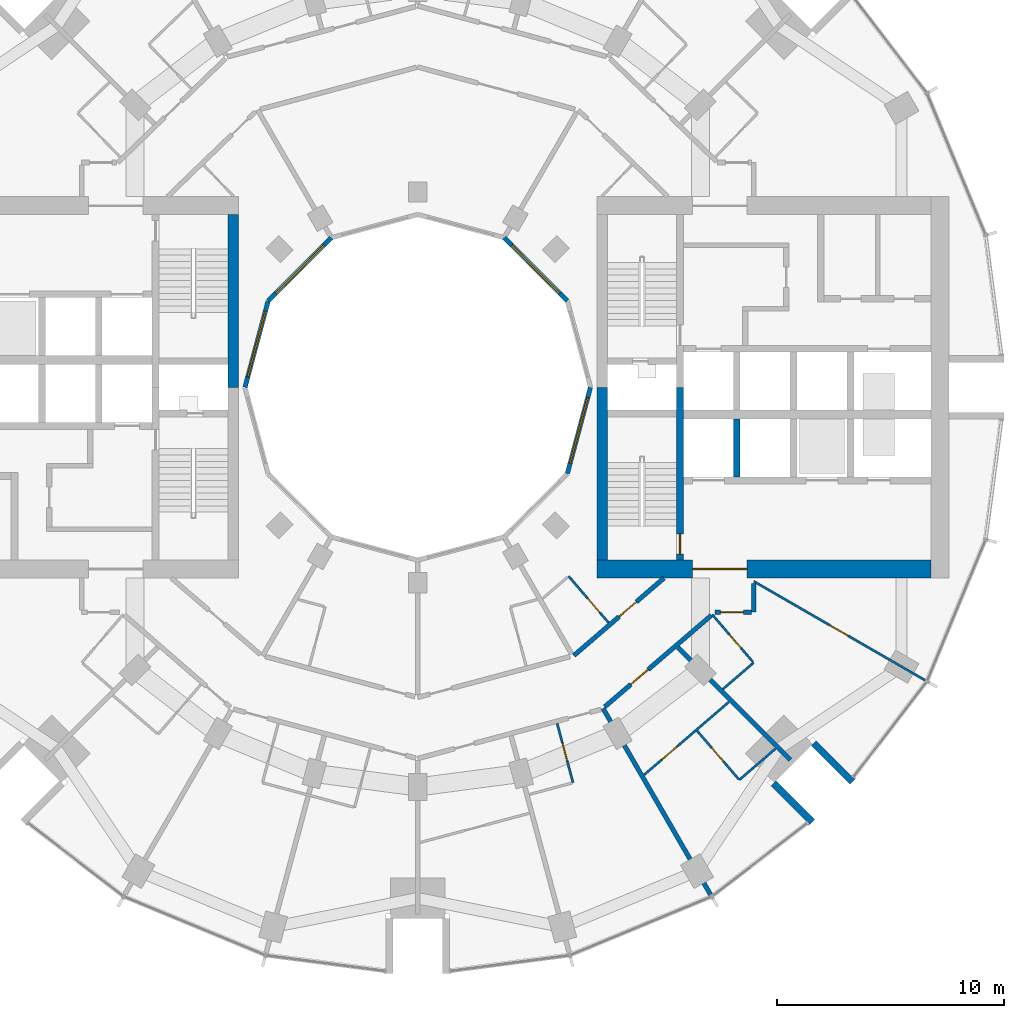
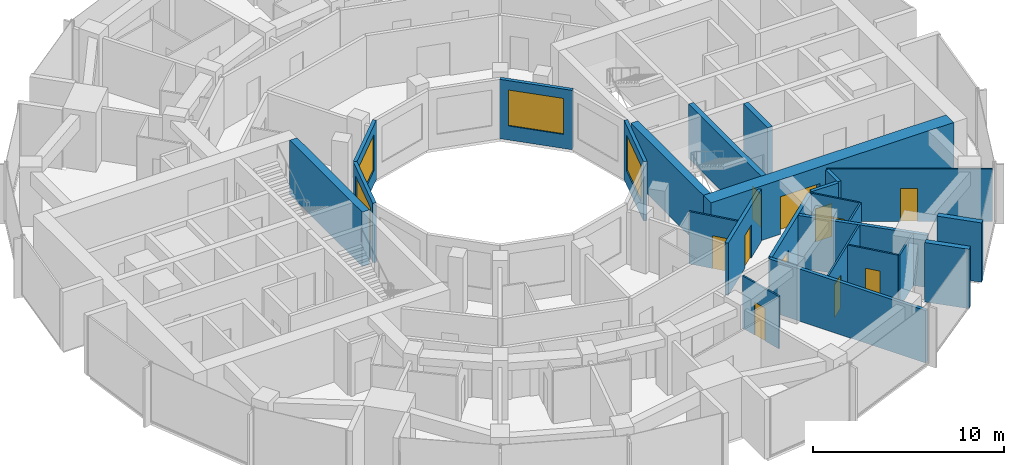
# One storey, part 10 of 15: 25 walls, 11 doors, 4 windows, 15 openings.
"""IFC4 building model written with IfcOpenShell, lengths in metres."""

from ifc_helpers import new_model, si_unit, direction, frame, frame_2d, origin, place, context, subcontext, project, spatial, rectangle, extrude, material, layer, layer_set, type_object, element, fill, save


model = new_model("IFC4")

# Units and contexts
model_context = context("Model", 3, precision=1e-05, world=origin(), true_north=direction((0.0, 1.0)))
body_context = subcontext(model_context, "Body", "Model", "MODEL_VIEW")
ifc_project = project(units=[si_unit("LENGTHUNIT", "METRE"), si_unit("AREAUNIT", "SQUARE_METRE"), si_unit("VOLUMEUNIT", "CUBIC_METRE"), si_unit("PLANEANGLEUNIT", "RADIAN"), si_unit("MASSUNIT", "GRAM", prefix="KILO")], contexts=[model_context])

# Site, building, storey
site_placement = place(None, origin())
site = spatial("IfcSite", under=ifc_project, at=site_placement, CompositionType="ELEMENT")
building_placement = place(site_placement, origin())
building = spatial("IfcBuilding", under=site, at=building_placement, Name="Torre Brocal", CompositionType="ELEMENT")
storey_placement = place(building_placement, frame((0.0, 0.0, 44.0)))
storey = spatial("IfcBuildingStorey", under=building, at=storey_placement, Name="L09", CompositionType="ELEMENT", Elevation=44.0)

# Wall, opening, door
ifc_material_1 = material(Name="Concrete C80", Category="concrete")
ifc_layer_1 = layer(ifc_material_1, 0.300048828125)
ifc_layer_set_1 = layer_set([ifc_layer_1], Name="Concrete C80")
wall_type_1 = type_object("IfcWallType", Name="CORE WALL 300 C80", PredefinedType="SHEAR", material=ifc_layer_set_1)
wall_1_placement = place(storey_placement, frame((91.550048828125, 67.39990234375, 0.0), z_axis=(0.0, 0.0, 1.0), x_axis=(0.0, 1.0, 0.0)))
wall_1 = element("IfcWall", 1, at=wall_1_placement, inside=storey, type_object=wall_type_1, Name="Wall CW300-80", PredefinedType="SHEAR", context=body_context, shape_type="SweptSolid", body=[
    extrude(rectangle(XDim=7.60009765625, YDim=0.300048828125, at=frame_2d((3.800048828125, 0.0))), origin(), (0.0, 0.0, 1.0), 3.47998046875),
])
opening_1_placement = place(wall_1_placement, frame((0.25, 0.0, 0.0)))
opening_1 = element("IfcOpeningElement", 2, at=opening_1_placement, cuts=wall_1, Name="Opening E-D03", PredefinedType="OPENING", context=body_context, shape_type="SweptSolid", body=[
    extrude(rectangle(XDim=0.89990234375, YDim=2.10009765625, at=frame_2d((0.449951171875, 1.050048828125))), frame((0.0, 0.159912109375, 0.0), z_axis=(0.0, -1.0, 0.0), x_axis=(1.0, 0.0, 0.0)), (0.0, 0.0, 1.0), 0.320068359375),
])
ifc_material_2 = material(Name="Steel A653", Category="steel")
door_type_1 = type_object("IfcDoorType", Name="STAIR DOOR FD120 900X2100", OperationType="SINGLE_SWING_RIGHT", PredefinedType="DOOR", material=ifc_material_2)
door_1_placement = place(opening_1_placement, origin())
door_1 = element("IfcDoor", 3, at=door_1_placement, inside=storey, type_object=door_type_1, Name="Door E-D03", OperationType="SINGLE_SWING_LEFT", OverallHeight=2.10009765625, OverallWidth=0.89990234375, PredefinedType="DOOR", context=body_context, shape_type="SweptSolid", body=[
    extrude(rectangle(XDim=0.89990234375, YDim=2.10009765625, at=frame_2d((0.449951171875, 1.050048828125))), frame((0.0, 0.02490234375, 0.0), z_axis=(0.0, -1.0, 0.0), x_axis=(1.0, 0.0, 0.0)), (0.0, 0.0, 1.0), 0.050048828125),
])
fill(opening_1, door_1)

# Walls
wall_2_placement = place(storey_placement, frame((94.050048828125, 71.050048828125, 0.0), z_axis=(0.0, 0.0, 1.0), x_axis=(0.0, 1.0, 0.0)))
element("IfcWall", 4, at=wall_2_placement, inside=storey, type_object=wall_type_1, Name="Wall CW300-80", PredefinedType="SHEAR", context=body_context, shape_type="SweptSolid", body=[
    extrude(rectangle(XDim=2.550048828125, YDim=0.300048828125, at=frame_2d((1.27490234375, 0.0))), origin(), (0.0, 0.0, 1.0), 3.47998046875),
])
ifc_material_3 = material(Name="Concrete C80", Category="concrete")
ifc_layer_2 = layer(ifc_material_3, 0.449951171875)
ifc_layer_set_2 = layer_set([ifc_layer_2], Name="Concrete C80")
wall_type_2 = type_object("IfcWallType", Name="CORE WALL 450 C80", PredefinedType="SHEAR", material=ifc_layer_set_2)
for number, where, z_axis, x_axis, name in (
    (5, (88.125, 67.39990234375, 0.0), (0.0, 0.0, 1.0), (0.0, 1.0, 0.0), "Wall CW450-80"),
    (6, (71.875, 82.60009765625, 0.0), (0.0, 0.0, 1.0), (0.0, -1.0, 0.0), "Wall CW450-80"),
):
    element("IfcWall", number, at=place(storey_placement, frame(where, z_axis=z_axis, x_axis=x_axis)), inside=storey, type_object=wall_type_2, Name=name, PredefinedType="SHEAR", context=body_context, shape_type="SweptSolid", body=[
        extrude(rectangle(XDim=7.60009765625, YDim=0.449951171875, at=frame_2d((3.800048828125, 0.0))), origin(), (0.0, 0.0, 1.0), 3.47998046875),
    ])

# Wall, opening, door
ifc_material_4 = material(Name="Concrete C80", Category="concrete")
ifc_layer_3 = layer(ifc_material_4, 0.800048828125)
ifc_layer_set_3 = layer_set([ifc_layer_3], Name="Concrete C80")
wall_type_3 = type_object("IfcWallType", Name="CORE WALL 800 C80", PredefinedType="SHEAR", material=ifc_layer_set_3)
wall_3_placement = place(storey_placement, frame((87.89990234375, 67.0, 0.0), z_axis=(0.0, 0.0, 1.0), x_axis=(1.0, 0.0, 0.0)))
wall_3 = element("IfcWall", 7, at=wall_3_placement, inside=storey, type_object=wall_type_3, Name="Wall CW800-80", PredefinedType="SHEAR", context=body_context, shape_type="SweptSolid", body=[
    extrude(rectangle(XDim=14.7001953125, YDim=0.800048828125, at=frame_2d((7.35009765625, 0.0))), origin(), (0.0, 0.0, 1.0), 3.47998046875),
])
opening_2_placement = place(wall_3_placement, frame((4.199951171875, 0.0, 0.0)))
opening_2 = element("IfcOpeningElement", 8, at=opening_2_placement, cuts=wall_3, Name="Opening E-D27", PredefinedType="OPENING", context=body_context, shape_type="SweptSolid", body=[
    extrude(rectangle(XDim=2.39990234375, YDim=2.39990234375, at=frame_2d((1.199951171875, 1.199951171875))), frame((0.0, 0.409912109375, 0.0), z_axis=(0.0, -1.0, 0.0), x_axis=(1.0, 0.0, 0.0)), (0.0, 0.0, 1.0), 0.820068359375),
])
ifc_material_5 = material(Name="Steel A653", Category="steel")
door_type_2 = type_object("IfcDoorType", Name="DOUBLE FIRE DOOR FD90 2400X2400", OperationType="DOUBLE_DOOR_SINGLE_SWING", PredefinedType="DOOR", material=ifc_material_5)
door_2_placement = place(opening_2_placement, origin())
door_2 = element("IfcDoor", 9, at=door_2_placement, inside=storey, type_object=door_type_2, Name="Door E-D27", OperationType="DOUBLE_DOOR_SINGLE_SWING", OverallHeight=2.39990234375, OverallWidth=2.39990234375, PredefinedType="DOOR", context=body_context, shape_type="SweptSolid", body=[
    extrude(rectangle(XDim=2.39990234375, YDim=2.39990234375, at=frame_2d((1.199951171875, 1.199951171875))), frame((0.0, 0.02490234375, 0.0), z_axis=(0.0, -1.0, 0.0), x_axis=(1.0, 0.0, 0.0)), (0.0, 0.0, 1.0), 0.050048828125),
])
fill(opening_2, door_2)

# Walls
ifc_material_6 = material(Name="Concrete C80", Category="concrete")
ifc_layer_4 = layer(ifc_material_6, 0.300048828125)
ifc_layer_set_4 = layer_set([ifc_layer_4], Name="Concrete C80")
wall_type_4 = type_object("IfcWallType", Name="NOTCH RETURN WALL 300 C80", PredefinedType="NOTDEFINED", material=ifc_layer_set_4)
for number, where, z_axis, x_axis, name in (
    (10, (95.662353515625, 57.56982421875, 0.0), (0.0, 0.0, 1.0), (0.707106781187, -0.707106781187, 0.0), "NOTCH RETURN WALL"),
    (11, (97.43017578125, 59.337646484375, 0.0), (0.0, 0.0, 1.0), (0.707106781187, -0.707106781187, 0.0), "NOTCH RETURN WALL"),
):
    element("IfcWall", number, at=place(storey_placement, frame(where, z_axis=z_axis, x_axis=x_axis)), inside=storey, type_object=wall_type_4, Name=name, PredefinedType="NOTDEFINED", context=body_context, shape_type="SweptSolid", body=[
        extrude(rectangle(XDim=2.415771484375, YDim=0.300048828125, at=frame_2d((1.2080078125, 0.0))), origin(), (0.0, 0.0, 1.0), 3.800048828125),
    ])

# Wall, opening, door
ifc_material_7 = material(Name="Gypsum board", Category="Gypsum")
ifc_layer_5 = layer(ifc_material_7, 0.10009765625)
ifc_layer_set_5 = layer_set([ifc_layer_5], Name="Gypsum board")
wall_type_5 = type_object("IfcWallType", Name="PARTITION 100", PredefinedType="PARTITIONING", material=ifc_layer_set_5)
wall_4_placement = place(storey_placement, frame((86.139892578125, 60.196044921875, 0.0), z_axis=(0.0, 0.0, 1.0), x_axis=(0.258945475746, -0.965891940432, 0.0)))
wall_4 = element("IfcWall", 12, at=wall_4_placement, inside=storey, type_object=wall_type_5, Name="BATHROOM WALL", PredefinedType="PARTITIONING", context=body_context, shape_type="SweptSolid", body=[
    extrude(rectangle(XDim=2.7001953125, YDim=0.10009765625, at=frame_2d((1.35009765625, 0.0))), origin(), (0.0, 0.0, 1.0), 3.35009765625),
])
opening_3_placement = place(wall_4_placement, frame((0.89990234375, 0.0, 0.0)))
opening_3 = element("IfcOpeningElement", 13, at=opening_3_placement, cuts=wall_4, Name="Opening H02-D30", PredefinedType="OPENING", context=body_context, shape_type="SweptSolid", body=[
    extrude(rectangle(XDim=0.800048828125, YDim=2.10009765625, at=frame_2d((0.39990234375, 1.050048828125))), frame((0.0, 0.06005859375, 0.0), z_axis=(0.0, -1.0, 0.0), x_axis=(1.0, 0.0, 0.0)), (0.0, 0.0, 1.0), 0.1201171875),
])
ifc_material_8 = material(Name="Timber", Category="wood")
door_type_3 = type_object("IfcDoorType", Name="BATHROOM DOOR 800X2100", OperationType="SINGLE_SWING_LEFT", PredefinedType="DOOR", material=ifc_material_8)
door_3_placement = place(opening_3_placement, frame((0.800048828125, 0.0, 0.0), z_axis=(0.0, 0.0, 1.0), x_axis=(-1.0, 0.0, 0.0)))
door_3 = element("IfcDoor", 14, at=door_3_placement, inside=storey, type_object=door_type_3, Name="H02-D30", OperationType="SINGLE_SWING_RIGHT", OverallHeight=2.10009765625, OverallWidth=0.800048828125, PredefinedType="DOOR", context=body_context, shape_type="SweptSolid", body=[
    extrude(rectangle(XDim=0.800048828125, YDim=2.10009765625, at=frame_2d((0.39990234375, 1.050048828125))), frame((0.0, 0.02490234375, 0.0), z_axis=(0.0, -1.0, 0.0), x_axis=(1.0, 0.0, 0.0)), (0.0, 0.0, 1.0), 0.050048828125),
])
fill(opening_3, door_3)

wall_5_placement = place(storey_placement, frame((86.64306640625, 66.680908203125, 0.0), z_axis=(0.0, 0.0, 1.0), x_axis=(0.652264876065, -0.757991115682, 0.0)))
wall_5 = element("IfcWall", 15, at=wall_5_placement, inside=storey, type_object=wall_type_5, Name="BATHROOM WALL", PredefinedType="PARTITIONING", context=body_context, shape_type="SweptSolid", body=[
    extrude(rectangle(XDim=2.699462890625, YDim=0.10009765625, at=frame_2d((1.349609375, 0.0))), origin(), (0.0, 0.0, 1.0), 3.35009765625),
])
opening_4_placement = place(wall_5_placement, frame((1.2998046875, 0.0, 0.0)))
opening_4 = element("IfcOpeningElement", 16, at=opening_4_placement, cuts=wall_5, Name="Opening H02-D42", PredefinedType="OPENING", context=body_context, shape_type="SweptSolid", body=[
    extrude(rectangle(XDim=0.800048828125, YDim=2.10009765625, at=frame_2d((0.39990234375, 1.050048828125))), frame((0.0, 0.06005859375, 0.0), z_axis=(0.0, -1.0, 0.0), x_axis=(1.0, 0.0, 0.0)), (0.0, 0.0, 1.0), 0.1201171875),
])
door_4_placement = place(opening_4_placement, frame((0.800048828125, 0.0, 0.0), z_axis=(0.0, 0.0, 1.0), x_axis=(-1.0, 0.0, 0.0)))
door_4 = element("IfcDoor", 17, at=door_4_placement, inside=storey, type_object=door_type_3, Name="H02-D42", OperationType="SINGLE_SWING_LEFT", OverallHeight=2.10009765625, OverallWidth=0.800048828125, PredefinedType="DOOR", context=body_context, shape_type="SweptSolid", body=[
    extrude(rectangle(XDim=0.800048828125, YDim=2.10009765625, at=frame_2d((0.39990234375, 1.050048828125))), frame((0.0, 0.02490234375, 0.0), z_axis=(0.0, -1.0, 0.0), x_axis=(1.0, 0.0, 0.0)), (0.0, 0.0, 1.0), 0.050048828125),
])
fill(opening_4, door_4)

wall_6_placement = place(storey_placement, frame((89.974365234375, 57.939697265625, 0.0), z_axis=(0.0, 0.0, 1.0), x_axis=(0.75821417454, 0.652005571699, 0.0)))
wall_6 = element("IfcWall", 18, at=wall_6_placement, inside=storey, type_object=wall_type_5, Name="BATHROOM WALL", PredefinedType="PARTITIONING", context=body_context, shape_type="SweptSolid", body=[
    extrude(rectangle(XDim=4.91455078125, YDim=0.10009765625, at=frame_2d((2.457275390625, 0.0))), origin(), (0.0, 0.0, 1.0), 3.35009765625),
])
opening_5_placement = place(wall_6_placement, frame((1.017333984375, 0.0, 0.0)))
opening_5 = element("IfcOpeningElement", 19, at=opening_5_placement, cuts=wall_6, Name="Opening H02-D27", PredefinedType="OPENING", context=body_context, shape_type="SweptSolid", body=[
    extrude(rectangle(XDim=0.89990234375, YDim=2.10009765625, at=frame_2d((0.449951171875, 1.050048828125))), frame((0.0, 0.06005859375, 0.0), z_axis=(0.0, -1.0, 0.0), x_axis=(1.0, 0.0, 0.0)), (0.0, 0.0, 1.0), 0.1201171875),
])
ifc_material_9 = material(Name="Timber", Category="wood")
door_type_4 = type_object("IfcDoorType", Name="ROOM DOOR 900X2100", OperationType="SINGLE_SWING_LEFT", PredefinedType="DOOR", material=ifc_material_9)
door_5_placement = place(opening_5_placement, origin())
door_5 = element("IfcDoor", 20, at=door_5_placement, inside=storey, type_object=door_type_4, Name="H02-D27", OperationType="SINGLE_SWING_LEFT", OverallHeight=2.10009765625, OverallWidth=0.89990234375, PredefinedType="DOOR", context=body_context, shape_type="SweptSolid", body=[
    extrude(rectangle(XDim=0.89990234375, YDim=2.10009765625, at=frame_2d((0.449951171875, 1.050048828125))), frame((0.0, 0.02490234375, 0.0), z_axis=(0.0, -1.0, 0.0), x_axis=(1.0, 0.0, 0.0)), (0.0, 0.0, 1.0), 0.050048828125),
])
fill(opening_5, door_5)

wall_7_placement = place(storey_placement, frame((92.300537109375, 59.8740234375, 0.0), z_axis=(0.0, 0.0, 1.0), x_axis=(0.652061320562, -0.758166231262, 0.0)))
wall_7 = element("IfcWall", 21, at=wall_7_placement, inside=storey, type_object=wall_type_5, Name="BATHROOM WALL", PredefinedType="PARTITIONING", context=body_context, shape_type="SweptSolid", body=[
    extrude(rectangle(XDim=2.80029296875, YDim=0.10009765625, at=frame_2d((1.400146484375, 0.0))), origin(), (0.0, 0.0, 1.0), 3.35009765625),
])
opening_6_placement = place(wall_7_placement, frame((1.0, 0.0, 0.0)))
opening_6 = element("IfcOpeningElement", 22, at=opening_6_placement, cuts=wall_7, Name="Opening H02-D28", PredefinedType="OPENING", context=body_context, shape_type="SweptSolid", body=[
    extrude(rectangle(XDim=0.800048828125, YDim=2.10009765625, at=frame_2d((0.39990234375, 1.050048828125))), frame((0.0, 0.06005859375, 0.0), z_axis=(0.0, -1.0, 0.0), x_axis=(1.0, 0.0, 0.0)), (0.0, 0.0, 1.0), 0.1201171875),
])
door_6_placement = place(opening_6_placement, origin())
door_6 = element("IfcDoor", 23, at=door_6_placement, inside=storey, type_object=door_type_3, Name="H02-D28", OperationType="SINGLE_SWING_LEFT", OverallHeight=2.10009765625, OverallWidth=0.800048828125, PredefinedType="DOOR", context=body_context, shape_type="SweptSolid", body=[
    extrude(rectangle(XDim=0.800048828125, YDim=2.10009765625, at=frame_2d((0.39990234375, 1.050048828125))), frame((0.0, 0.02490234375, 0.0), z_axis=(0.0, -1.0, 0.0), x_axis=(1.0, 0.0, 0.0)), (0.0, 0.0, 1.0), 0.050048828125),
])
fill(opening_6, door_6)

wall_8_placement = place(storey_placement, frame((92.965087890625, 64.996826171875, 0.0), z_axis=(0.0, 0.0, 1.0), x_axis=(0.652069888227, -0.758158862553, 0.0)))
wall_8 = element("IfcWall", 24, at=wall_8_placement, inside=storey, type_object=wall_type_5, Name="BATHROOM WALL", PredefinedType="PARTITIONING", context=body_context, shape_type="SweptSolid", body=[
    extrude(rectangle(XDim=2.75, YDim=0.10009765625, at=frame_2d((1.375, 0.0))), origin(), (0.0, 0.0, 1.0), 3.35009765625),
])
opening_7_placement = place(wall_8_placement, frame((1.14990234375, 0.0, 0.0)))
opening_7 = element("IfcOpeningElement", 25, at=opening_7_placement, cuts=wall_8, Name="Opening H02-D24", PredefinedType="OPENING", context=body_context, shape_type="SweptSolid", body=[
    extrude(rectangle(XDim=0.800048828125, YDim=2.10009765625, at=frame_2d((0.39990234375, 1.050048828125))), frame((0.0, 0.06005859375, 0.0), z_axis=(0.0, -1.0, 0.0), x_axis=(1.0, 0.0, 0.0)), (0.0, 0.0, 1.0), 0.1201171875),
])
door_7_placement = place(opening_7_placement, frame((0.800048828125, 0.0, 0.0), z_axis=(0.0, 0.0, 1.0), x_axis=(-1.0, 0.0, 0.0)))
door_7 = element("IfcDoor", 26, at=door_7_placement, inside=storey, type_object=door_type_3, Name="H02-D24", OperationType="SINGLE_SWING_LEFT", OverallHeight=2.10009765625, OverallWidth=0.800048828125, PredefinedType="DOOR", context=body_context, shape_type="SweptSolid", body=[
    extrude(rectangle(XDim=0.800048828125, YDim=2.10009765625, at=frame_2d((0.39990234375, 1.050048828125))), frame((0.0, 0.02490234375, 0.0), z_axis=(0.0, -1.0, 0.0), x_axis=(1.0, 0.0, 0.0)), (0.0, 0.0, 1.0), 0.050048828125),
])
fill(opening_7, door_7)

# Walls
wall_9_placement = place(storey_placement, frame((93.434814453125, 61.707275390625, 0.0), z_axis=(0.0, 0.0, 1.0), x_axis=(0.758070495124, 0.652172618578, 0.0)))
element("IfcWall", 27, at=wall_9_placement, inside=storey, type_object=wall_type_5, Name="BATHROOM WALL", PredefinedType="PARTITIONING", context=body_context, shape_type="SweptSolid", body=[
    extrude(rectangle(XDim=1.7890625, YDim=0.10009765625, at=frame_2d((0.89453125, 0.0))), origin(), (0.0, 0.0, 1.0), 3.35009765625),
])
wall_10_placement = place(storey_placement, frame((94.158935546875, 57.712890625, 0.0), z_axis=(0.0, 0.0, 1.0), x_axis=(0.75802950812, 0.652220257903, 0.0)))
element("IfcWall", 28, at=wall_10_placement, inside=storey, type_object=wall_type_5, Name="BATHROOM WALL", PredefinedType="PARTITIONING", context=body_context, shape_type="SweptSolid", body=[
    extrude(rectangle(XDim=2.10888671875, YDim=0.10009765625, at=frame_2d((1.054443359375, 0.0))), origin(), (0.0, 0.0, 1.0), 3.35009765625),
])

# Wall, opening, door
wall_11_placement = place(storey_placement, frame((94.800048828125, 66.455078125, 0.0), z_axis=(0.0, 0.0, 1.0), x_axis=(0.86602264145, -0.500004784474, 0.0)))
wall_11 = element("IfcWall", 29, at=wall_11_placement, inside=storey, type_object=wall_type_5, Name="ROOM PARTITION", PredefinedType="PARTITIONING", context=body_context, shape_type="SweptSolid", body=[
    extrude(rectangle(XDim=8.7080078125, YDim=0.10009765625, at=frame_2d((4.35400390625, 0.0))), origin(), (0.0, 0.0, 1.0), 3.35009765625),
])
opening_8_placement = place(wall_11_placement, frame((3.87890625, 0.0, 0.0)))
opening_8 = element("IfcOpeningElement", 30, at=opening_8_placement, cuts=wall_11, Name="Opening H02-D25", PredefinedType="OPENING", context=body_context, shape_type="SweptSolid", body=[
    extrude(rectangle(XDim=0.89990234375, YDim=2.10009765625, at=frame_2d((0.449951171875, 1.050048828125))), frame((0.0, 0.06005859375, 0.0), z_axis=(0.0, -1.0, 0.0), x_axis=(1.0, 0.0, 0.0)), (0.0, 0.0, 1.0), 0.1201171875),
])
door_8_placement = place(opening_8_placement, origin())
door_8 = element("IfcDoor", 31, at=door_8_placement, inside=storey, type_object=door_type_4, Name="H02-D25", OperationType="SINGLE_SWING_LEFT", OverallHeight=2.10009765625, OverallWidth=0.89990234375, PredefinedType="DOOR", context=body_context, shape_type="SweptSolid", body=[
    extrude(rectangle(XDim=0.89990234375, YDim=2.10009765625, at=frame_2d((0.449951171875, 1.050048828125))), frame((0.0, 0.02490234375, 0.0), z_axis=(0.0, -1.0, 0.0), x_axis=(1.0, 0.0, 0.0)), (0.0, 0.0, 1.0), 0.050048828125),
])
fill(opening_8, door_8)

ifc_material_10 = material(Name="Gypsum board", Category="Gypsum")
ifc_layer_6 = layer(ifc_material_10, 0.199951171875)
ifc_layer_set_6 = layer_set([ifc_layer_6], Name="Gypsum board")
wall_type_6 = type_object("IfcWallType", Name="PARTITION 200 EI60", PredefinedType="PARTITIONING", material=ifc_layer_set_6)
wall_12_placement = place(storey_placement, frame((86.876953125, 63.189208984375, 0.0), z_axis=(0.0, 0.0, 1.0), x_axis=(0.758164888471, 0.652062881853, 0.0)))
wall_12 = element("IfcWall", 32, at=wall_12_placement, inside=storey, type_object=wall_type_6, Name="GUESTROOM CORRIDOR WALL", PredefinedType="PARTITIONING", context=body_context, shape_type="SweptSolid", body=[
    extrude(rectangle(XDim=5.230224609375, YDim=0.199951171875, at=frame_2d((2.615234375, 0.0))), origin(), (0.0, 0.0, 1.0), 3.35009765625),
])
opening_9_placement = place(wall_12_placement, frame((2.63037109375, 0.0, 0.0)))
opening_9 = element("IfcOpeningElement", 33, at=opening_9_placement, cuts=wall_12, Name="Opening H02-D41", PredefinedType="OPENING", context=body_context, shape_type="SweptSolid", body=[
    extrude(rectangle(XDim=1.0, YDim=2.10009765625, at=frame_2d((0.5, 1.050048828125))), frame((0.0, 0.10986328125, 0.0), z_axis=(0.0, -1.0, 0.0), x_axis=(1.0, 0.0, 0.0)), (0.0, 0.0, 1.0), 0.219970703125),
])
ifc_material_11 = material(Name="Timber", Category="wood")
door_type_5 = type_object("IfcDoorType", Name="FLAT ENTRY DOOR FD30S 1000X2100", OperationType="SINGLE_SWING_RIGHT", PredefinedType="DOOR", material=ifc_material_11)
door_9_placement = place(opening_9_placement, origin())
door_9 = element("IfcDoor", 34, at=door_9_placement, inside=storey, type_object=door_type_5, Name="H02-D41", OperationType="SINGLE_SWING_LEFT", OverallHeight=2.10009765625, OverallWidth=1.0, PredefinedType="DOOR", context=body_context, shape_type="SweptSolid", body=[
    extrude(rectangle(XDim=1.0, YDim=2.10009765625, at=frame_2d((0.5, 1.050048828125))), frame((0.0, 0.02490234375, 0.0), z_axis=(0.0, -1.0, 0.0), x_axis=(1.0, 0.0, 0.0)), (0.0, 0.0, 1.0), 0.050048828125),
])
fill(opening_9, door_9)

wall_13_placement = place(storey_placement, frame((88.234619140625, 60.931396484375, 0.0), z_axis=(0.0, 0.0, 1.0), x_axis=(0.758799498714, 0.651324282329, 0.0)))
wall_13 = element("IfcWall", 35, at=wall_13_placement, inside=storey, type_object=wall_type_6, Name="FLAT ENTRANCE WALL", PredefinedType="PARTITIONING", context=body_context, shape_type="SweptSolid", body=[
    extrude(rectangle(XDim=6.185546875, YDim=0.199951171875, at=frame_2d((3.0927734375, 0.0))), origin(), (0.0, 0.0, 1.0), 3.35009765625),
])
opening_10_placement = place(wall_13_placement, frame((1.518798828125, 0.0, 0.0)))
opening_10 = element("IfcOpeningElement", 36, at=opening_10_placement, cuts=wall_13, Name="Opening H02-D26", PredefinedType="OPENING", context=body_context, shape_type="SweptSolid", body=[
    extrude(rectangle(XDim=1.0, YDim=2.10009765625, at=frame_2d((0.5, 1.050048828125))), frame((0.0, 0.10986328125, 0.0), z_axis=(0.0, -1.0, 0.0), x_axis=(1.0, 0.0, 0.0)), (0.0, 0.0, 1.0), 0.219970703125),
])
door_10_placement = place(opening_10_placement, frame((1.0, 0.0, 0.0), z_axis=(0.0, 0.0, 1.0), x_axis=(-1.0, 0.0, 0.0)))
door_10 = element("IfcDoor", 37, at=door_10_placement, inside=storey, type_object=door_type_5, Name="H02-D26", OperationType="SINGLE_SWING_LEFT", OverallHeight=2.10009765625, OverallWidth=1.0, PredefinedType="DOOR", context=body_context, shape_type="SweptSolid", body=[
    extrude(rectangle(XDim=1.0, YDim=2.10009765625, at=frame_2d((0.5, 1.050048828125))), frame((0.0, 0.02490234375, 0.0), z_axis=(0.0, -1.0, 0.0), x_axis=(1.0, 0.0, 0.0)), (0.0, 0.0, 1.0), 0.050048828125),
])
fill(opening_10, door_10)

# Walls
wall_14_placement = place(storey_placement, frame((88.159423828125, 60.86279296875, 0.0), z_axis=(0.0, 0.0, 1.0), x_axis=(0.499897184548, -0.866084756177, 0.0)))
element("IfcWall", 38, at=wall_14_placement, inside=storey, type_object=wall_type_6, Name="PARTY PARTITION", PredefinedType="PARTITIONING", context=body_context, shape_type="SweptSolid", body=[
    extrude(rectangle(XDim=9.474609375, YDim=0.199951171875, at=frame_2d((4.7373046875, 0.0))), origin(), (0.0, 0.0, 1.0), 3.35009765625),
])
wall_15_placement = place(storey_placement, frame((91.44921875, 63.5478515625, 0.0), z_axis=(0.0, 0.0, 1.0), x_axis=(0.706984810649, -0.707228730688, 0.0)))
element("IfcWall", 39, at=wall_15_placement, inside=storey, type_object=wall_type_6, Name="BATHROOM WALL", PredefinedType="PARTITIONING", context=body_context, shape_type="SweptSolid", body=[
    extrude(rectangle(XDim=7.00634765625, YDim=0.199951171875, at=frame_2d((3.503173828125, 0.0))), origin(), (0.0, 0.0, 1.0), 3.35009765625),
])

# Wall, opening, door
wall_16_placement = place(storey_placement, frame((93.0849609375, 65.10009765625, 0.0), z_axis=(0.0, 0.0, 1.0), x_axis=(1.0, 0.0, 0.0)))
wall_16 = element("IfcWall", 40, at=wall_16_placement, inside=storey, type_object=wall_type_6, Name="GUESTROOM CORRIDOR WALL", PredefinedType="PARTITIONING", context=body_context, shape_type="SweptSolid", body=[
    extrude(rectangle(XDim=1.614990234375, YDim=0.199951171875, at=frame_2d((0.8076171875, 0.0))), origin(), (0.0, 0.0, 1.0), 3.35009765625),
])
opening_11_placement = place(wall_16_placement, frame((0.25, 0.0, 0.0)))
opening_11 = element("IfcOpeningElement", 41, at=opening_11_placement, cuts=wall_16, Name="Opening H02-D23", PredefinedType="OPENING", context=body_context, shape_type="SweptSolid", body=[
    extrude(rectangle(XDim=1.0, YDim=2.10009765625, at=frame_2d((0.5, 1.050048828125))), frame((0.0, 0.10986328125, 0.0), z_axis=(0.0, -1.0, 0.0), x_axis=(1.0, 0.0, 0.0)), (0.0, 0.0, 1.0), 0.219970703125),
])
door_11_placement = place(opening_11_placement, frame((1.0, 0.0, 0.0), z_axis=(0.0, 0.0, 1.0), x_axis=(-1.0, 0.0, 0.0)))
door_11 = element("IfcDoor", 42, at=door_11_placement, inside=storey, type_object=door_type_5, Name="H02-D23", OperationType="SINGLE_SWING_LEFT", OverallHeight=2.10009765625, OverallWidth=1.0, PredefinedType="DOOR", context=body_context, shape_type="SweptSolid", body=[
    extrude(rectangle(XDim=1.0, YDim=2.10009765625, at=frame_2d((0.5, 1.050048828125))), frame((0.0, 0.02490234375, 0.0), z_axis=(0.0, -1.0, 0.0), x_axis=(1.0, 0.0, 0.0)), (0.0, 0.0, 1.0), 0.050048828125),
])
fill(opening_11, door_11)

# Wall
wall_17_placement = place(storey_placement, frame((94.800048828125, 65.10009765625, 0.0), z_axis=(0.0, 0.0, 1.0), x_axis=(0.0, 1.0, 0.0)))
element("IfcWall", 43, at=wall_17_placement, inside=storey, type_object=wall_type_6, Name="GUESTROOM CORRIDOR WALL", PredefinedType="PARTITIONING", context=body_context, shape_type="SweptSolid", body=[
    extrude(rectangle(XDim=1.25, YDim=0.199951171875, at=frame_2d((0.625, 0.0))), origin(), (0.0, 0.0, 1.0), 3.35009765625),
])

# Wall, opening, window
ifc_material_12 = material(Name="Concrete C40", Category="concrete")
ifc_layer_7 = layer(ifc_material_12, 0.199951171875)
ifc_layer_set_7 = layer_set([ifc_layer_7], Name="Concrete C40")
wall_type_7 = type_object("IfcWallType", Name="WELL FACADE WALL 200", PredefinedType="NOTDEFINED", material=ifc_layer_set_7)
wall_18_placement = place(storey_placement, frame((86.5849609375, 78.8017578125, 0.0), z_axis=(0.0, 0.0, 1.0), x_axis=(-0.707106781187, 0.707106781187, 0.0)))
wall_18 = element("IfcWall", 44, at=wall_18_placement, inside=storey, type_object=wall_type_7, Name="WELL FACADE WALL", PredefinedType="NOTDEFINED", context=body_context, shape_type="SweptSolid", body=[
    extrude(rectangle(XDim=3.93603515625, YDim=0.199951171875, at=frame_2d((1.968017578125, 0.0))), origin(), (0.0, 0.0, 1.0), 3.800048828125),
])
opening_12_placement = place(wall_18_placement, frame((0.468017578125, 0.0, 0.89990234375)))
opening_12 = element("IfcOpeningElement", 45, at=opening_12_placement, cuts=wall_18, Name="Opening W1", PredefinedType="OPENING", context=body_context, shape_type="SweptSolid", body=[
    extrude(rectangle(XDim=3.0, YDim=2.300048828125, at=frame_2d((1.5, 1.14990234375))), frame((0.0, 0.10986328125, 0.0), z_axis=(0.0, -1.0, 0.0), x_axis=(1.0, 0.0, 0.0)), (0.0, 0.0, 1.0), 0.219970703125),
])
ifc_material_13 = material(Name="Aluminium and glass", Category="aluminium")
window_type = type_object("IfcWindowType", Name="WELL WINDOW 3000X2300", PartitioningType="SINGLE_PANEL", PredefinedType="WINDOW", material=ifc_material_13)
window_1_placement = place(opening_12_placement, origin())
window_1 = element("IfcWindow", 46, at=window_1_placement, inside=storey, type_object=window_type, Name="WELL WINDOW 3000X2300", OverallHeight=2.300048828125, OverallWidth=3.0, PartitioningType="SINGLE_PANEL", PredefinedType="WINDOW", context=body_context, shape_type="SweptSolid", body=[
    extrude(rectangle(XDim=3.0, YDim=2.300048828125, at=frame_2d((1.5, 1.14990234375))), frame((0.0, 0.030029296875, 0.0), z_axis=(0.0, -1.0, 0.0), x_axis=(1.0, 0.0, 0.0)), (0.0, 0.0, 1.0), 0.06005859375),
])
fill(opening_12, window_1)

wall_19_placement = place(storey_placement, frame((76.1982421875, 81.5849609375, 0.0), z_axis=(0.0, 0.0, 1.0), x_axis=(-0.707106781187, -0.707106781187, 0.0)))
wall_19 = element("IfcWall", 47, at=wall_19_placement, inside=storey, type_object=wall_type_7, Name="WELL FACADE WALL", PredefinedType="NOTDEFINED", context=body_context, shape_type="SweptSolid", body=[
    extrude(rectangle(XDim=3.93603515625, YDim=0.199951171875, at=frame_2d((1.968017578125, 0.0))), origin(), (0.0, 0.0, 1.0), 3.800048828125),
])
opening_13_placement = place(wall_19_placement, frame((0.468017578125, 0.0, 0.89990234375)))
opening_13 = element("IfcOpeningElement", 48, at=opening_13_placement, cuts=wall_19, Name="Opening W1", PredefinedType="OPENING", context=body_context, shape_type="SweptSolid", body=[
    extrude(rectangle(XDim=3.0, YDim=2.300048828125, at=frame_2d((1.5, 1.14990234375))), frame((0.0, 0.10986328125, 0.0), z_axis=(0.0, -1.0, 0.0), x_axis=(1.0, 0.0, 0.0)), (0.0, 0.0, 1.0), 0.219970703125),
])
window_2_placement = place(opening_13_placement, origin())
window_2 = element("IfcWindow", 49, at=window_2_placement, inside=storey, type_object=window_type, Name="WELL WINDOW 3000X2300", OverallHeight=2.300048828125, OverallWidth=3.0, PartitioningType="SINGLE_PANEL", PredefinedType="WINDOW", context=body_context, shape_type="SweptSolid", body=[
    extrude(rectangle(XDim=3.0, YDim=2.300048828125, at=frame_2d((1.5, 1.14990234375))), frame((0.0, 0.030029296875, 0.0), z_axis=(0.0, -1.0, 0.0), x_axis=(1.0, 0.0, 0.0)), (0.0, 0.0, 1.0), 0.06005859375),
])
fill(opening_13, window_2)

wall_20_placement = place(storey_placement, frame((73.4150390625, 78.8017578125, 0.0), z_axis=(0.0, 0.0, 1.0), x_axis=(-0.258789828301, -0.965933654434, 0.0)))
wall_20 = element("IfcWall", 50, at=wall_20_placement, inside=storey, type_object=wall_type_7, Name="WELL FACADE WALL", PredefinedType="NOTDEFINED", context=body_context, shape_type="SweptSolid", body=[
    extrude(rectangle(XDim=3.935791015625, YDim=0.199951171875, at=frame_2d((1.9677734375, 0.0))), origin(), (0.0, 0.0, 1.0), 3.800048828125),
])
opening_14_placement = place(wall_20_placement, frame((0.468017578125, 0.0, 0.89990234375)))
opening_14 = element("IfcOpeningElement", 51, at=opening_14_placement, cuts=wall_20, Name="Opening W1", PredefinedType="OPENING", context=body_context, shape_type="SweptSolid", body=[
    extrude(rectangle(XDim=3.0, YDim=2.300048828125, at=frame_2d((1.5, 1.14990234375))), frame((0.0, 0.10986328125, 0.0), z_axis=(0.0, -1.0, 0.0), x_axis=(1.0, 0.0, 0.0)), (0.0, 0.0, 1.0), 0.219970703125),
])
window_3_placement = place(opening_14_placement, origin())
window_3 = element("IfcWindow", 52, at=window_3_placement, inside=storey, type_object=window_type, Name="WELL WINDOW 3000X2300", OverallHeight=2.300048828125, OverallWidth=3.0, PartitioningType="SINGLE_PANEL", PredefinedType="WINDOW", context=body_context, shape_type="SweptSolid", body=[
    extrude(rectangle(XDim=3.0, YDim=2.300048828125, at=frame_2d((1.5, 1.14990234375))), frame((0.0, 0.030029296875, 0.0), z_axis=(0.0, -1.0, 0.0), x_axis=(1.0, 0.0, 0.0)), (0.0, 0.0, 1.0), 0.06005859375),
])
fill(opening_14, window_3)

wall_21_placement = place(storey_placement, frame((86.5849609375, 71.1982421875, 0.0), z_axis=(0.0, 0.0, 1.0), x_axis=(0.258789828301, 0.965933654434, 0.0)))
wall_21 = element("IfcWall", 53, at=wall_21_placement, inside=storey, type_object=wall_type_7, Name="WELL FACADE WALL", PredefinedType="NOTDEFINED", context=body_context, shape_type="SweptSolid", body=[
    extrude(rectangle(XDim=3.935791015625, YDim=0.199951171875, at=frame_2d((1.9677734375, 0.0))), origin(), (0.0, 0.0, 1.0), 3.800048828125),
])
opening_15_placement = place(wall_21_placement, frame((0.468017578125, 0.0, 0.89990234375)))
opening_15 = element("IfcOpeningElement", 54, at=opening_15_placement, cuts=wall_21, Name="Opening W1", PredefinedType="OPENING", context=body_context, shape_type="SweptSolid", body=[
    extrude(rectangle(XDim=3.0, YDim=2.300048828125, at=frame_2d((1.5, 1.14990234375))), frame((0.0, 0.10986328125, 0.0), z_axis=(0.0, -1.0, 0.0), x_axis=(1.0, 0.0, 0.0)), (0.0, 0.0, 1.0), 0.219970703125),
])
window_4_placement = place(opening_15_placement, origin())
window_4 = element("IfcWindow", 55, at=window_4_placement, inside=storey, type_object=window_type, Name="WELL WINDOW 3000X2300", OverallHeight=2.300048828125, OverallWidth=3.0, PartitioningType="SINGLE_PANEL", PredefinedType="WINDOW", context=body_context, shape_type="SweptSolid", body=[
    extrude(rectangle(XDim=3.0, YDim=2.300048828125, at=frame_2d((1.5, 1.14990234375))), frame((0.0, 0.030029296875, 0.0), z_axis=(0.0, -1.0, 0.0), x_axis=(1.0, 0.0, 0.0)), (0.0, 0.0, 1.0), 0.06005859375),
])
fill(opening_15, window_4)

save(model, "model.ifc")
